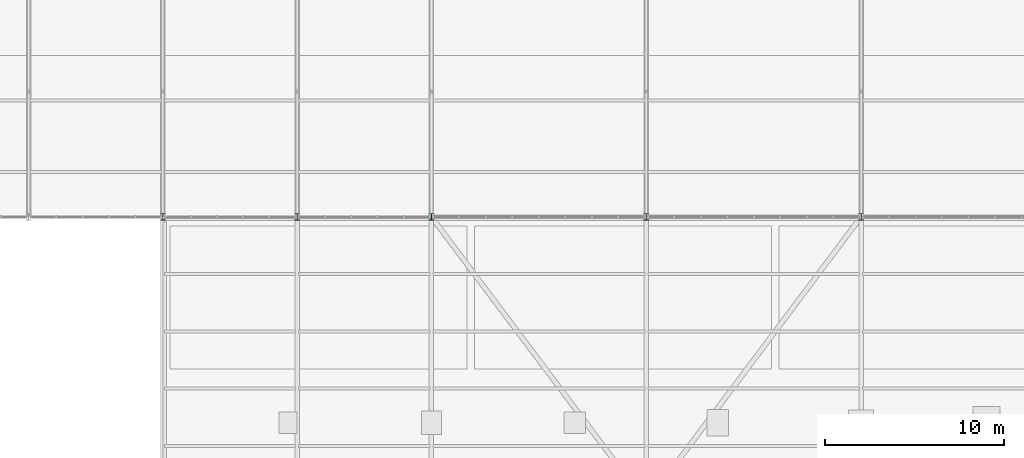
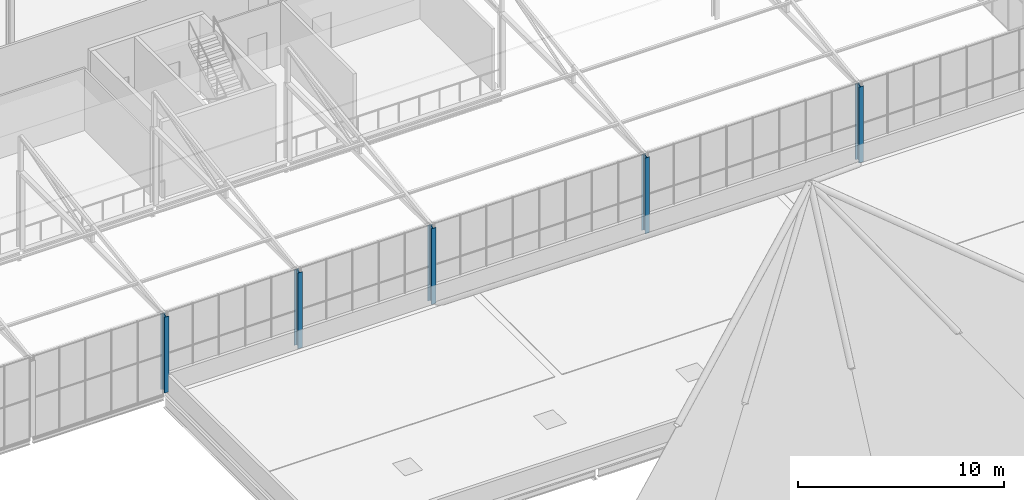
# One storey, part 4 of 104: 5 columns.
"""IFC4 building model written with IfcOpenShell, lengths in metres."""

from ifc_helpers import new_model, si_unit, direction, frame, origin, origin_2d, place, context, subcontext, project, spatial, i_section, extrude, material, material_profile, profile_set, type_object, element, save


model = new_model("IFC4")

# Units and contexts
model_context = context("Model", 3, precision=1e-05, world=origin(), true_north=direction((0.0, 1.0)))
body_context = subcontext(model_context, "Body", "Model", "MODEL_VIEW")
ifc_project = project(units=[si_unit("LENGTHUNIT", "METRE"), si_unit("AREAUNIT", "SQUARE_METRE"), si_unit("VOLUMEUNIT", "CUBIC_METRE"), si_unit("PLANEANGLEUNIT", "RADIAN"), si_unit("MASSUNIT", "GRAM", prefix="KILO")], contexts=[model_context])

# Site, building, storey
site_placement = place(None, origin())
site = spatial("IfcSite", under=ifc_project, at=site_placement, CompositionType="ELEMENT")
building_placement = place(site_placement, origin())
building = spatial("IfcBuilding", under=site, at=building_placement, Name="Solvenia Promenade Tram Depot", CompositionType="ELEMENT")
storey_placement = place(building_placement, frame((0.0, 0.0, 9.0)))
storey = spatial("IfcBuildingStorey", under=building, at=storey_placement, Name="L02", CompositionType="ELEMENT", Elevation=9.0)

# Columns
ifc_material = material(Name="Structural steel ASTM A992 Gr. 50", Category="steel")
ifc_material_profile = material_profile(ifc_material, i_section(OverallWidth=0.257080078125, OverallDepth=0.363037109375, WebThickness=0.012939453125, FlangeThickness=0.021728515625, FilletRadius=0.014892578125, at=origin_2d()), Name="W360x122", Category="steel")
ifc_profile_set = profile_set([ifc_material_profile], Name="Structural steel ASTM A992 Gr. 50")
column_type = type_object("IfcColumnType", Name="Col-W360x122", PredefinedType="COLUMN", material=ifc_profile_set)
for number, where, z_axis, x_axis, name in (
    (1, (135.0, 24.0, 0.0), (0.0, 0.0, 1.0), (1.0, 0.0, 0.0), "Steel Column COL-L02-266"),
    (2, (142.5, 24.0, 0.0), (0.0, 0.0, 1.0), (1.0, 0.0, 0.0), "Steel Column COL-L02-287"),
    (3, (150.0, 24.0, 0.0), (0.0, 0.0, 1.0), (1.0, 0.0, 0.0), "Steel Column COL-L02-308"),
    (4, (162.0, 24.0, 0.0), (0.0, 0.0, 1.0), (1.0, 0.0, 0.0), "Steel Column COL-L02-329"),
    (5, (174.0, 24.0, 0.0), (0.0, 0.0, 1.0), (1.0, 0.0, 0.0), "Steel Column COL-L02-347"),
):
    element("IfcColumn", number, at=place(storey_placement, frame(where, z_axis=z_axis, x_axis=x_axis)), inside=storey, type_object=column_type, Name=name, PredefinedType="COLUMN", context=body_context, shape_type="SweptSolid", body=[
        extrude(i_section(OverallWidth=0.257080078125, OverallDepth=0.363037109375, WebThickness=0.012939453125, FlangeThickness=0.021728515625, FilletRadius=0.014892578125, at=origin_2d()), origin(), (0.0, 0.0, 1.0), 4.5),
    ])

save(model, "model.ifc")
